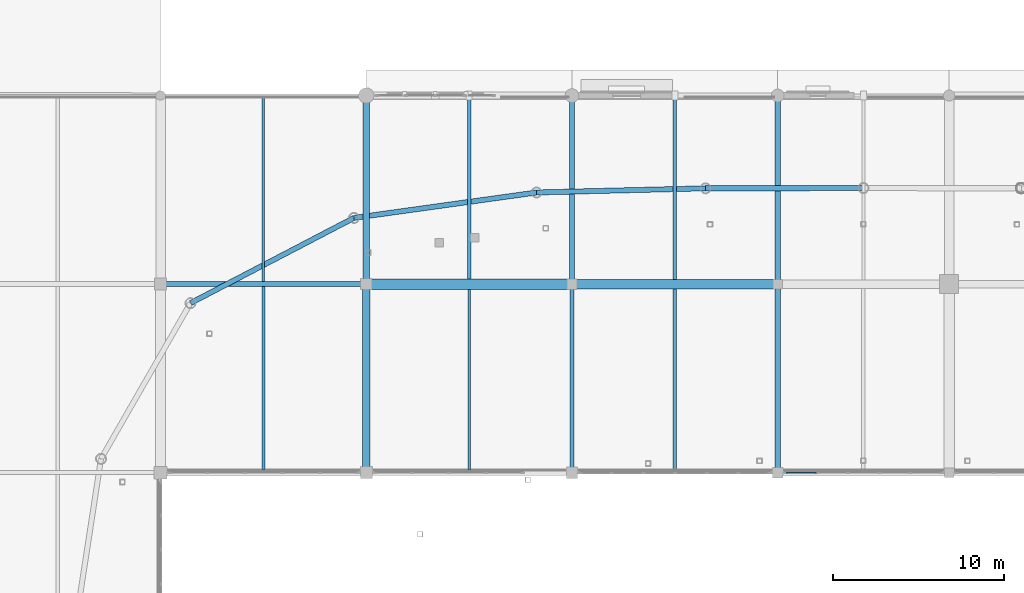
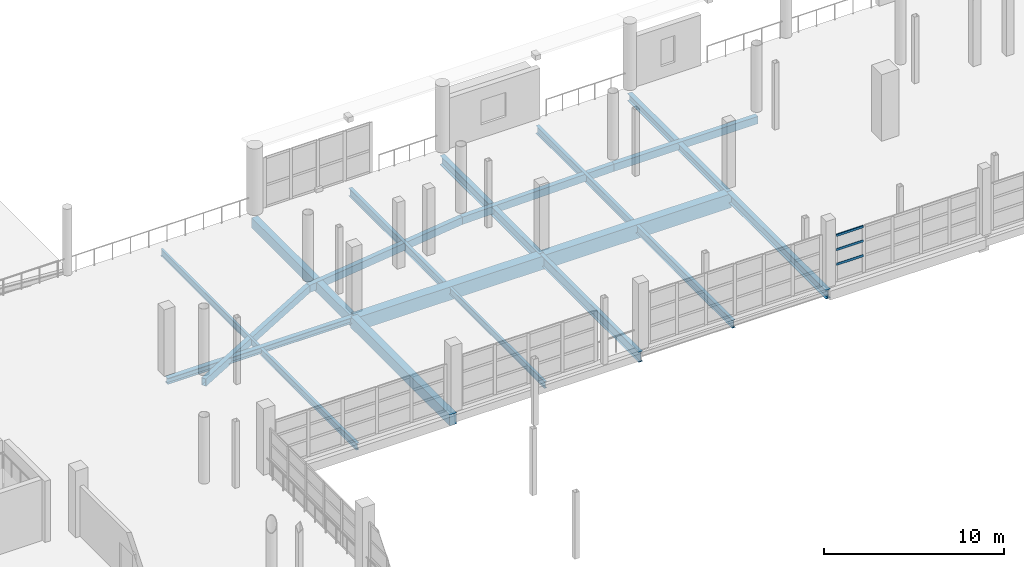
# One storey, part 44 of 118: 19 beams, 3 members, 1 element without a shape of its own.
"""IFC4 building model written with IfcOpenShell, lengths in metres."""

import ifcopenshell
import ifcopenshell.guid

model = None  # the IFC model being written
_history = None  # IfcOwnerHistory: only IFC2X3 demands one
_inside = {}  # id of a spatial element -> (the spatial element, [elements in it])
_under = {}  # id of a project, library or spatial element -> (it, [spatial elements below it])
_declared = {}  # id of a project -> (the project, [libraries it declares])
_typed = {}  # id of a type object -> (the type object, [elements of that type])
_made_of = {}  # id of a material, layer set ... -> (it, [elements and type objects made of it])


def new_model(schema):
    """Start an empty IFC model of exactly this schema.

    Asked for "IFC4X3", IfcOpenShell would pick the latest addendum, in which some entities
    have other attributes; the version numbers below select the first issue.
    IFC2X3 requires an IfcOwnerHistory on every rooted entity: one is made here for all.
    """
    global model, _history
    if schema == "IFC4X3":
        model = ifcopenshell.file(schema_version=(4, 3, 0, 0))
    else:
        model = ifcopenshell.file(schema=schema)
    _inside.clear()
    _under.clear()
    _declared.clear()
    _typed.clear()
    _made_of.clear()
    _history = None
    if model.schema == "IFC2X3":
        org = make("IfcOrganization", Name="unknown")
        user = make(
            "IfcPersonAndOrganization",
            ThePerson=make("IfcPerson", FamilyName="unknown"),
            TheOrganization=org,
        )
        app = make(
            "IfcApplication",
            ApplicationDeveloper=org,
            Version="unknown",
            ApplicationFullName="unknown",
            ApplicationIdentifier="unknown",
        )
        _history = make(
            "IfcOwnerHistory",
            OwningUser=user,
            OwningApplication=app,
            ChangeAction="ADDED",
            CreationDate=0,
        )
    return model


def make(cls, **values):
    """One entity of the class cls with the attributes given. An attribute that is None is left unset."""
    return model.create_entity(
        cls, **{name: value for name, value in values.items() if value is not None}
    )


def rooted(cls, **values):
    """An entity with a GlobalId (a new one), such as an element, a storey or a relation."""
    return make(cls, GlobalId=ifcopenshell.guid.new(), OwnerHistory=_history, **values)


def si_unit(unit_type, name, prefix=None):
    """IfcSIUnit, for example si_unit("LENGTHUNIT", "METRE", prefix="MILLI")."""
    return make("IfcSIUnit", UnitType=unit_type, Prefix=prefix, Name=name)


def assignment(units):
    """IfcUnitAssignment: the units of a project."""
    return None if units is None else make("IfcUnitAssignment", Units=units)


def point(xyz):
    """IfcCartesianPoint."""
    return None if xyz is None else make("IfcCartesianPoint", Coordinates=xyz)


def direction(xyz):
    """IfcDirection."""
    return None if xyz is None else make("IfcDirection", DirectionRatios=xyz)


def frame(location, z_axis=None, x_axis=None):
    """IfcAxis2Placement3D, a coordinate frame: its origin and axes. An axis left out is left unset."""
    return make(
        "IfcAxis2Placement3D",
        Location=point(location),
        Axis=direction(z_axis),
        RefDirection=direction(x_axis),
    )


def frame_2d(location, x_axis=None):
    """IfcAxis2Placement2D, a coordinate frame in the plane: its origin and x axis."""
    return make(
        "IfcAxis2Placement2D", Location=point(location), RefDirection=direction(x_axis)
    )


def origin():
    """The frame at (0, 0, 0) with its axes left unset."""
    return frame((0.0, 0.0, 0.0))


def origin_2d():
    """The frame at (0, 0) in the plane with its x axis left unset."""
    return frame_2d((0.0, 0.0))


def place(relative_to, where):
    """IfcLocalPlacement: puts the frame where relative to a parent placement (None: the world)."""
    return make(
        "IfcLocalPlacement", PlacementRelTo=relative_to, RelativePlacement=where
    )


def context(
    kind, dimensions, precision=None, world=None, true_north=None, identifier=None
):
    """IfcGeometricRepresentationContext, for example the 3D "Model" context."""
    return make(
        "IfcGeometricRepresentationContext",
        ContextIdentifier=identifier,
        ContextType=kind,
        CoordinateSpaceDimension=dimensions,
        Precision=precision,
        WorldCoordinateSystem=world,
        TrueNorth=true_north,
    )


def subcontext(parent, identifier, kind, view, scale=None):
    """IfcGeometricRepresentationSubContext, for example "Body" below "Model"."""
    return make(
        "IfcGeometricRepresentationSubContext",
        ContextIdentifier=identifier,
        ContextType=kind,
        ParentContext=parent,
        TargetScale=scale,
        TargetView=view,
    )


def project(units=None, contexts=None):
    """IfcProject with its units and contexts."""
    return rooted(
        "IfcProject",
        Name="project",
        RepresentationContexts=contexts,
        UnitsInContext=assignment(units),
    )


def spatial(cls, under=None, at=None, **own):
    """A site, building, storey or space (cls), placed at a placement, below another one or the project."""
    s = rooted(cls, ObjectPlacement=at, **own)
    if under is not None:
        _under.setdefault(under.id(), (under, []))[1].append(s)
    return s


def profile(cls, at=None, kind="AREA", **sizes):
    """A parametric profile (cls). Its sizes go by their IFC names, for example OverallWidth=200.0."""
    return make(cls, ProfileType=kind, Position=at, **sizes)


def rectangle(**sizes):
    """IfcRectangleProfileDef."""
    return profile("IfcRectangleProfileDef", **sizes)


def hollow_rectangle(**sizes):
    """IfcRectangleHollowProfileDef."""
    return profile("IfcRectangleHollowProfileDef", **sizes)


def i_section(**sizes):
    """IfcIShapeProfileDef."""
    return profile("IfcIShapeProfileDef", **sizes)


def extrude(swept, where, along, depth):
    """IfcExtrudedAreaSolid: the profile swept, set in the frame where, extruded along a direction by depth."""
    return make(
        "IfcExtrudedAreaSolid",
        SweptArea=swept,
        Position=where,
        ExtrudedDirection=direction(along),
        Depth=depth,
    )


def shape(context_of_items, identifier, shape_type, items):
    """IfcShapeRepresentation: the items that make up one representation, for example the "Body"."""
    return make(
        "IfcShapeRepresentation",
        ContextOfItems=context_of_items,
        RepresentationIdentifier=identifier,
        RepresentationType=shape_type,
        Items=items,
    )


def material(Name=None, Category=None):
    """IfcMaterial."""
    return make("IfcMaterial", Name=Name, Category=Category)


def material_profile(
    of_material, cross_section, Name=None, Category=None, Priority=None
):
    """IfcMaterialProfile: a cross section and its material."""
    return make(
        "IfcMaterialProfile",
        Name=Name,
        Material=of_material,
        Profile=cross_section,
        Priority=Priority,
        Category=Category,
    )


def profile_set(profiles, Name=None, composite=None):
    """IfcMaterialProfileSet."""
    return make(
        "IfcMaterialProfileSet",
        Name=Name,
        MaterialProfiles=profiles,
        CompositeProfile=composite,
    )


def made_of(thing, what):
    """Note that an element or type object is made of a material, layer set ...; save() writes the relation."""
    if what is not None:
        _made_of.setdefault(what.id(), (what, []))[1].append(thing)
    return thing


def type_object(cls, material=None, **own):
    """A type object (cls), such as IfcWallType, which elements share."""
    return made_of(rooted(cls, **own), material)


def element(
    cls,
    number,
    at=None,
    inside=None,
    cuts=None,
    type_object=None,
    material=None,
    context=None,
    identifier="Body",
    shape_type=None,
    held_by="IfcProductDefinitionShape",
    body=None,
    shapes=None,
    **own,
):
    """One element of the class cls, such as IfcWall. Its Tag is "e" and its number.

    at: its placement. inside: the storey or other place that contains it. cuts: it is an
    opening in that element (IfcRelVoidsElement). A single representation is given by context,
    identifier, shape_type and body (its items); several are given by shapes. held_by: the class
    of the entity that holds the representations. save() writes the other relations.
    """
    e = rooted(cls, Tag="e%d" % number, ObjectPlacement=at, **own)
    if body is not None:
        shapes = [shape(context, identifier, shape_type, body)]
    if shapes is not None:
        e.Representation = make(held_by, Representations=shapes)
    if inside is not None:
        _inside.setdefault(inside.id(), (inside, []))[1].append(e)
    if cuts is not None:
        rooted(
            "IfcRelVoidsElement", RelatingBuildingElement=cuts, RelatedOpeningElement=e
        )
    if type_object is not None:
        _typed.setdefault(type_object.id(), (type_object, []))[1].append(e)
    return made_of(e, material)


def aggregate(whole, parts):
    """IfcRelAggregates: a whole, such as a stair, and the parts it consists of."""
    return rooted("IfcRelAggregates", RelatingObject=whole, RelatedObjects=parts)


def save(model, path):
    """Write the relations noted so far, then the file.

    IfcRelAggregates (storeys below a building ...), IfcRelContainedInSpatialStructure (elements
    in a storey), IfcRelDefinesByType, IfcRelAssociatesMaterial and IfcRelDeclares: one each for
    every whole, place, type object, material and project.
    """
    for whole, parts in _under.values():
        aggregate(whole, parts)
    for where, things in _inside.values():
        rooted(
            "IfcRelContainedInSpatialStructure",
            RelatedElements=things,
            RelatingStructure=where,
        )
    for kind, things in _typed.values():
        rooted("IfcRelDefinesByType", RelatedObjects=things, RelatingType=kind)
    for what, things in _made_of.values():
        rooted("IfcRelAssociatesMaterial", RelatedObjects=things, RelatingMaterial=what)
    for by, libraries in _declared.values():
        rooted("IfcRelDeclares", RelatingContext=by, RelatedDefinitions=libraries)
    model.write(path)


model = new_model("IFC4")

# Units and contexts
model_context = context("Model", 3, precision=1e-05, world=origin(), true_north=direction((0.0, 1.0)))
body_context = subcontext(model_context, "Body", "Model", "MODEL_VIEW")
ifc_project = project(units=[si_unit("LENGTHUNIT", "METRE"), si_unit("AREAUNIT", "SQUARE_METRE"), si_unit("VOLUMEUNIT", "CUBIC_METRE"), si_unit("PLANEANGLEUNIT", "RADIAN"), si_unit("MASSUNIT", "GRAM", prefix="KILO")], contexts=[model_context])

# Site, building, storey
site_placement = place(None, origin())
site = spatial("IfcSite", under=ifc_project, at=site_placement, CompositionType="ELEMENT")
building_placement = place(site_placement, origin())
building = spatial("IfcBuilding", under=site, at=building_placement, Name="Luwafu Chhajja Arena", CompositionType="ELEMENT")
storey_placement = place(building_placement, frame((0.0, 0.0, 10.199951171875)))
storey = spatial("IfcBuildingStorey", under=building, at=storey_placement, Name="L02", CompositionType="ELEMENT", Elevation=10.199951171875)

# Curtain wall, members
ifc_material_1 = material(Name="Anodised bronze aluminium", Category="aluminium")
curtain_wall_type = type_object("IfcCurtainWallType", Name="Hospitality Ring Curtain Wall", PredefinedType="USERDEFINED", material=ifc_material_1)
curtain_wall_placement = place(storey_placement, origin())
curtain_wall = element("IfcCurtainWall", 1, at=curtain_wall_placement, inside=storey, type_object=curtain_wall_type, Name="L02 Bowl Viewing Curtain Wall CWR-L02-11", ObjectType="CURTAIN WALL", PredefinedType="USERDEFINED")
ifc_material_profile_1 = material_profile(ifc_material_1, rectangle(XDim=0.06494140625, YDim=0.14990234375, at=origin_2d()), Name="CWT 65x150")
ifc_profile_set_1 = profile_set([ifc_material_profile_1], Name="Anodised bronze aluminium")
member_type = type_object("IfcMemberType", Name="Bronze Curtain Wall Transom 65x150", PredefinedType="USERDEFINED", material=ifc_profile_set_1)
member_1_placement = place(storey_placement, frame((94.5048828125, 77.0, 1.150146484375), z_axis=(1.0, 0.0, 0.0), x_axis=(0.0, 1.0, 0.0)))
member_1 = element("IfcMember", 2, at=member_1_placement, type_object=member_type, Name="CW-02 transom 1.2", ObjectType="TRANSOM", PredefinedType="USERDEFINED", context=body_context, shape_type="SweptSolid", body=[
    extrude(rectangle(XDim=0.06494140625, YDim=0.14990234375, at=origin_2d()), origin(), (0.0, 0.0, 1.0), 1.731689453125),
])
member_2_placement = place(storey_placement, frame((94.5048828125, 77.0, 2.14501953125), z_axis=(1.0, 0.0, 0.0), x_axis=(0.0, 1.0, 0.0)))
member_2 = element("IfcMember", 3, at=member_2_placement, type_object=member_type, Name="CW-02 transom 1.3", ObjectType="TRANSOM", PredefinedType="USERDEFINED", context=body_context, shape_type="SweptSolid", body=[
    extrude(rectangle(XDim=0.06494140625, YDim=0.14990234375, at=origin_2d()), origin(), (0.0, 0.0, 1.0), 1.731689453125),
])
member_3_placement = place(storey_placement, frame((94.5048828125, 77.0, 3.107666015625), z_axis=(1.0, 0.0, 0.0), x_axis=(0.0, 1.0, 0.0)))
member_3 = element("IfcMember", 4, at=member_3_placement, type_object=member_type, Name="CW-02 transom 1.4", ObjectType="TRANSOM", PredefinedType="USERDEFINED", context=body_context, shape_type="SweptSolid", body=[
    extrude(rectangle(XDim=0.06494140625, YDim=0.14990234375, at=origin_2d()), origin(), (0.0, 0.0, 1.0), 1.731689453125),
])
aggregate(curtain_wall, [member_1, member_2, member_3])

# Beams
ifc_material_2 = material(Name="Concrete C35/45", Category="concrete")
ifc_material_profile_2 = material_profile(ifc_material_2, rectangle(XDim=0.60009765625, YDim=0.89990234375, at=origin_2d()), Name="RC 600x900")
ifc_profile_set_2 = profile_set([ifc_material_profile_2], Name="Concrete C35/45")
beam_type_1 = type_object("IfcBeamType", Name="Concourse Primary Girder RC 600x900", PredefinedType="BEAM", material=ifc_profile_set_2)
beam_1_placement = place(storey_placement, frame((70.0, 88.0, -0.83984375), z_axis=(1.0, 0.0, 0.0), x_axis=(0.0, 1.0, 0.0)))
element("IfcBeam", 5, at=beam_1_placement, inside=storey, type_object=beam_type_1, Name="L02 Grid Beam 7-8/J", PredefinedType="BEAM", context=body_context, shape_type="SweptSolid", body=[
    extrude(rectangle(XDim=0.60009765625, YDim=0.89990234375, at=origin_2d()), origin(), (0.0, 0.0, 1.0), 12.0),
])
ifc_material_profile_3 = material_profile(ifc_material_2, rectangle(XDim=0.550048828125, YDim=0.949951171875, at=origin_2d()), Name="RC 550x950")
ifc_profile_set_3 = profile_set([ifc_material_profile_3], Name="Concrete C35/45")
beam_type_2 = type_object("IfcBeamType", Name="Concourse Radial Girder RC 550x950", PredefinedType="BEAM", material=ifc_profile_set_3)
beam_2_placement = place(storey_placement, frame((82.0, 88.0, -0.864990234375), z_axis=(1.0, 0.0, 0.0), x_axis=(0.0, 1.0, 0.0)))
element("IfcBeam", 6, at=beam_2_placement, inside=storey, type_object=beam_type_2, Name="L02 Grid Beam 8-9/J", PredefinedType="BEAM", context=body_context, shape_type="SweptSolid", body=[
    extrude(rectangle(XDim=0.550048828125, YDim=0.949951171875, at=origin_2d()), origin(), (0.0, 0.0, 1.0), 12.0),
])
ifc_material_3 = material(Name="Steel S355", Category="steel")
ifc_material_profile_4 = material_profile(ifc_material_3, i_section(OverallWidth=0.15283203125, OverallDepth=0.45458984375, WebThickness=0.008056640625, FlangeThickness=0.01318359375, at=origin_2d()), Name="UB 457x152x60")
ifc_profile_set_4 = profile_set([ifc_material_profile_4], Name="Steel S355")
beam_type_3 = type_object("IfcBeamType", Name="Floor Joist UB 457x152x60", PredefinedType="JOIST", material=ifc_profile_set_4)
beam_3_placement = place(storey_placement, frame((64.0, 88.14990234375, -0.6171875), z_axis=(0.0, 1.0, 0.0), x_axis=(-1.0, 0.0, 0.0)))
element("IfcBeam", 7, at=beam_3_placement, inside=storey, type_object=beam_type_3, Name="L02 Secondary Joist 6-7/J", PredefinedType="JOIST", context=body_context, shape_type="SweptSolid", body=[
    extrude(i_section(OverallWidth=0.15283203125, OverallDepth=0.45458984375, WebThickness=0.008056640625, FlangeThickness=0.01318359375, at=origin_2d()), origin(), (0.0, 0.0, 1.0), 10.767333984375),
])
beam_4_placement = place(storey_placement, frame((76.0, 77.14990234375, -0.6171875), z_axis=(0.0, 1.0, 0.0), x_axis=(-1.0, 0.0, 0.0)))
element("IfcBeam", 8, at=beam_4_placement, inside=storey, type_object=beam_type_3, Name="L02 Secondary Joist 7-8/H", PredefinedType="JOIST", context=body_context, shape_type="SweptSolid", body=[
    extrude(i_section(OverallWidth=0.15283203125, OverallDepth=0.45458984375, WebThickness=0.008056640625, FlangeThickness=0.01318359375, at=origin_2d()), origin(), (0.0, 0.0, 1.0), 10.550048828125),
])
ifc_material_profile_5 = material_profile(ifc_material_3, i_section(OverallWidth=0.19140625, OverallDepth=0.4599609375, WebThickness=0.010009765625, FlangeThickness=0.01611328125, at=origin_2d()), Name="UB 457x191x82")
ifc_profile_set_5 = profile_set([ifc_material_profile_5], Name="Steel S355")
beam_type_4 = type_object("IfcBeamType", Name="Floor Joist UB 457x191x82", PredefinedType="JOIST", material=ifc_profile_set_5)
beam_5_placement = place(storey_placement, frame((64.0, 77.199951171875, -0.619873046875), z_axis=(0.0, 1.0, 0.0), x_axis=(-1.0, 0.0, 0.0)))
element("IfcBeam", 9, at=beam_5_placement, inside=storey, type_object=beam_type_4, Name="L02 Secondary Joist 6-7/H", PredefinedType="JOIST", context=body_context, shape_type="SweptSolid", body=[
    extrude(i_section(OverallWidth=0.19140625, OverallDepth=0.4599609375, WebThickness=0.010009765625, FlangeThickness=0.01611328125, at=origin_2d()), origin(), (0.0, 0.0, 1.0), 10.650146484375),
])
ifc_material_profile_6 = material_profile(ifc_material_3, i_section(OverallWidth=0.2099609375, OverallDepth=0.53662109375, WebThickness=0.0107421875, FlangeThickness=0.017333984375, at=origin_2d()), Name="UB 533x210x101")
ifc_profile_set_6 = profile_set([ifc_material_profile_6], Name="Steel S355")
beam_type_5 = type_object("IfcBeamType", Name="Floor Joist UB 533x210x101", PredefinedType="JOIST", material=ifc_profile_set_6)
beam_6_placement = place(storey_placement, frame((76.0, 88.300048828125, -0.658203125), z_axis=(0.0, 1.0, 0.0), x_axis=(-1.0, 0.0, 0.0)))
element("IfcBeam", 10, at=beam_6_placement, inside=storey, type_object=beam_type_5, Name="L02 Secondary Joist 7-8/J", PredefinedType="JOIST", context=body_context, shape_type="SweptSolid", body=[
    extrude(i_section(OverallWidth=0.2099609375, OverallDepth=0.53662109375, WebThickness=0.0107421875, FlangeThickness=0.017333984375, at=origin_2d()), origin(), (0.0, 0.0, 1.0), 10.5),
])
beam_7_placement = place(storey_placement, frame((88.0, 77.082763671875, -0.658203125), z_axis=(0.0, 1.0, 0.0), x_axis=(-1.0, 0.0, 0.0)))
element("IfcBeam", 11, at=beam_7_placement, inside=storey, type_object=beam_type_5, Name="L02 Secondary Joist 8-9/H", PredefinedType="JOIST", context=body_context, shape_type="SweptSolid", body=[
    extrude(i_section(OverallWidth=0.2099609375, OverallDepth=0.53662109375, WebThickness=0.0107421875, FlangeThickness=0.017333984375, at=origin_2d()), origin(), (0.0, 0.0, 1.0), 10.642333984375),
])
ifc_material_profile_7 = material_profile(ifc_material_3, i_section(OverallWidth=0.209228515625, OverallDepth=0.533203125, WebThickness=0.010009765625, FlangeThickness=0.015625, at=origin_2d()), Name="UB 533x210x92")
ifc_profile_set_7 = profile_set([ifc_material_profile_7], Name="Steel S355")
beam_type_6 = type_object("IfcBeamType", Name="Floor Joist UB 533x210x92", PredefinedType="JOIST", material=ifc_profile_set_7)
beam_8_placement = place(storey_placement, frame((88.0, 88.27490234375, -0.656494140625), z_axis=(0.0, 1.0, 0.0), x_axis=(-1.0, 0.0, 0.0)))
element("IfcBeam", 12, at=beam_8_placement, inside=storey, type_object=beam_type_6, Name="L02 Secondary Joist 8-9/J", PredefinedType="JOIST", context=body_context, shape_type="SweptSolid", body=[
    extrude(i_section(OverallWidth=0.209228515625, OverallDepth=0.533203125, WebThickness=0.010009765625, FlangeThickness=0.015625, at=origin_2d()), origin(), (0.0, 0.0, 1.0), 10.5751953125),
])
ifc_material_profile_8 = material_profile(ifc_material_3, hollow_rectangle(XDim=0.300048828125, YDim=0.5, WallThickness=0.02001953125, at=origin_2d()), Name="RHS 500x300x20")
ifc_profile_set_8 = profile_set([ifc_material_profile_8], Name="Steel S355")
beam_type_7 = type_object("IfcBeamType", Name="Pleated Drum Spandrel Beam RHS 500x300", PredefinedType="SPANDREL", material=ifc_profile_set_8)
beam_9_placement = place(storey_placement, frame((99.0, 93.60009765625, -0.639892578125), z_axis=(-0.999999155928, -0.001299285621, 0.0), x_axis=(0.001299285621, -0.999999155928, 0.0)))
element("IfcBeam", 13, at=beam_9_placement, inside=storey, type_object=beam_type_7, Name="L02 Drum Ring Spandrel D09-D10", PredefinedType="SPANDREL", context=body_context, shape_type="SweptSolid", body=[
    extrude(hollow_rectangle(XDim=0.300048828125, YDim=0.5, WallThickness=0.02001953125, at=origin_2d()), origin(), (0.0, 0.0, 1.0), 9.207275390625),
])
beam_10_placement = place(storey_placement, frame((89.792724609375, 93.588134765625, -0.639892578125), z_axis=(-0.999695420837, -0.024679253567, 0.0), x_axis=(0.024679253567, -0.999695420837, 0.0)))
element("IfcBeam", 14, at=beam_10_placement, inside=storey, type_object=beam_type_7, Name="L02 Drum Ring Spandrel D10-D11", PredefinedType="SPANDREL", context=body_context, shape_type="SweptSolid", body=[
    extrude(hollow_rectangle(XDim=0.300048828125, YDim=0.5, WallThickness=0.02001953125, at=origin_2d()), origin(), (0.0, 0.0, 1.0), 9.86279296875),
])
beam_11_placement = place(storey_placement, frame((79.932861328125, 93.3447265625, -0.639892578125), z_axis=(-0.990458730054, -0.137809666058, 0.0), x_axis=(0.137809666058, -0.990458730054, 0.0)))
element("IfcBeam", 15, at=beam_11_placement, inside=storey, type_object=beam_type_7, Name="L02 Drum Ring Spandrel D11-D12", PredefinedType="SPANDREL", context=body_context, shape_type="SweptSolid", body=[
    extrude(hollow_rectangle(XDim=0.300048828125, YDim=0.5, WallThickness=0.02001953125, at=origin_2d()), origin(), (0.0, 0.0, 1.0), 10.75341796875),
])
beam_12_placement = place(storey_placement, frame((69.281982421875, 91.86279296875, -0.639892578125), z_axis=(-0.886755170812, -0.462239404463, 0.0), x_axis=(0.462239404463, -0.886755170812, 0.0)))
element("IfcBeam", 16, at=beam_12_placement, inside=storey, type_object=beam_type_7, Name="L02 Drum Ring Spandrel D12-D13", PredefinedType="SPANDREL", context=body_context, shape_type="SweptSolid", body=[
    extrude(hollow_rectangle(XDim=0.300048828125, YDim=0.5, WallThickness=0.02001953125, at=origin_2d()), origin(), (0.0, 0.0, 1.0), 10.756103515625),
])
ifc_material_profile_9 = material_profile(ifc_material_3, i_section(OverallWidth=0.300048828125, OverallDepth=0.5, WebThickness=0.014404296875, FlangeThickness=0.028076171875, at=origin_2d()), Name="HEB 500")
ifc_profile_set_9 = profile_set([ifc_material_profile_9], Name="Steel S355")
beam_type_8 = type_object("IfcBeamType", Name="Steel Atrium Tie Girder HEB 500", PredefinedType="BEAM", material=ifc_profile_set_9)
beam_13_placement = place(storey_placement, frame((94.0, 88.0, -0.639892578125), z_axis=(0.0, 1.0, 0.0), x_axis=(-1.0, 0.0, 0.0)))
element("IfcBeam", 17, at=beam_13_placement, inside=storey, type_object=beam_type_8, Name="L02 Grid Beam 9/J-K", PredefinedType="BEAM", context=body_context, shape_type="SweptSolid", body=[
    extrude(i_section(OverallWidth=0.300048828125, OverallDepth=0.5, WebThickness=0.014404296875, FlangeThickness=0.028076171875, at=origin_2d()), origin(), (0.0, 0.0, 1.0), 11.0),
])
ifc_material_profile_10 = material_profile(ifc_material_3, i_section(OverallWidth=0.253662109375, OverallDepth=0.68359375, WebThickness=0.012451171875, FlangeThickness=0.01904296875, at=origin_2d()), Name="UB 686x254x140")
ifc_profile_set_10 = profile_set([ifc_material_profile_10], Name="Steel S355")
beam_type_9 = type_object("IfcBeamType", Name="Steel Concourse Girder UB 686x254x140", PredefinedType="BEAM", material=ifc_profile_set_10)
beam_14_placement = place(storey_placement, frame((82.0, 77.0, -0.731689453125), z_axis=(0.0, 1.0, 0.0), x_axis=(-1.0, 0.0, 0.0)))
element("IfcBeam", 18, at=beam_14_placement, inside=storey, type_object=beam_type_9, Name="L02 Grid Beam 8/H-J", PredefinedType="BEAM", context=body_context, shape_type="SweptSolid", body=[
    extrude(i_section(OverallWidth=0.253662109375, OverallDepth=0.68359375, WebThickness=0.012451171875, FlangeThickness=0.01904296875, at=origin_2d()), origin(), (0.0, 0.0, 1.0), 11.0),
])
ifc_material_profile_11 = material_profile(ifc_material_3, i_section(OverallWidth=0.300048828125, OverallDepth=0.60009765625, WebThickness=0.015380859375, FlangeThickness=0.030029296875, at=origin_2d()), Name="HEB 600")
ifc_profile_set_11 = profile_set([ifc_material_profile_11], Name="Steel S355")
beam_type_10 = type_object("IfcBeamType", Name="Steel Gallery Girder HEB 600", PredefinedType="BEAM", material=ifc_profile_set_11)
beam_15_placement = place(storey_placement, frame((94.0, 77.0, -0.68994140625), z_axis=(0.0, 1.0, 0.0), x_axis=(-1.0, 0.0, 0.0)))
element("IfcBeam", 19, at=beam_15_placement, inside=storey, type_object=beam_type_10, Name="L02 Grid Beam 9/H-J", PredefinedType="BEAM", context=body_context, shape_type="SweptSolid", body=[
    extrude(i_section(OverallWidth=0.300048828125, OverallDepth=0.60009765625, WebThickness=0.015380859375, FlangeThickness=0.030029296875, at=origin_2d()), origin(), (0.0, 0.0, 1.0), 11.0),
])
ifc_material_profile_12 = material_profile(ifc_material_3, i_section(OverallWidth=0.30712890625, OverallDepth=0.6201171875, WebThickness=0.01416015625, FlangeThickness=0.023681640625, at=origin_2d()), Name="UB 610x305x179")
ifc_profile_set_12 = profile_set([ifc_material_profile_12], Name="Steel S355")
beam_type_11 = type_object("IfcBeamType", Name="Steel Hospitality Girder UB 610x305x179", PredefinedType="BEAM", material=ifc_profile_set_12)
beam_16_placement = place(storey_placement, frame((82.0, 88.0, -0.699951171875), z_axis=(0.0, 1.0, 0.0), x_axis=(-1.0, 0.0, 0.0)))
element("IfcBeam", 20, at=beam_16_placement, inside=storey, type_object=beam_type_11, Name="L02 Grid Beam 8/J-K", PredefinedType="BEAM", context=body_context, shape_type="SweptSolid", body=[
    extrude(i_section(OverallWidth=0.30712890625, OverallDepth=0.6201171875, WebThickness=0.01416015625, FlangeThickness=0.023681640625, at=origin_2d()), origin(), (0.0, 0.0, 1.0), 11.0),
])
ifc_material_profile_13 = material_profile(ifc_material_3, i_section(OverallWidth=0.300048828125, OverallDepth=0.39990234375, WebThickness=0.013427734375, FlangeThickness=0.02392578125, at=origin_2d()), Name="HEB 400")
ifc_profile_set_13 = profile_set([ifc_material_profile_13], Name="Steel S355")
beam_type_12 = type_object("IfcBeamType", Name="Steel Rigging Grid Beam HEB 400", PredefinedType="BEAM", material=ifc_profile_set_13)
beam_17_placement = place(storey_placement, frame((58.0, 88.0, -0.58984375), z_axis=(1.0, 0.0, 0.0), x_axis=(0.0, 1.0, 0.0)))
element("IfcBeam", 21, at=beam_17_placement, inside=storey, type_object=beam_type_12, Name="L02 Grid Beam 6-7/J", PredefinedType="BEAM", context=body_context, shape_type="SweptSolid", body=[
    extrude(i_section(OverallWidth=0.300048828125, OverallDepth=0.39990234375, WebThickness=0.013427734375, FlangeThickness=0.02392578125, at=origin_2d()), origin(), (0.0, 0.0, 1.0), 12.0),
])
ifc_material_profile_14 = material_profile(ifc_material_2, rectangle(XDim=0.39990234375, YDim=0.699951171875, at=origin_2d()), Name="RC 400x700")
ifc_profile_set_14 = profile_set([ifc_material_profile_14], Name="Concrete C35/45")
beam_type_13 = type_object("IfcBeamType", Name="Wing Frame Beam RC 400x700", PredefinedType="BEAM", material=ifc_profile_set_14)
beam_18_placement = place(storey_placement, frame((70.0, 88.0, -0.739990234375), z_axis=(0.0, 1.0, 0.0), x_axis=(-1.0, 0.0, 0.0)))
element("IfcBeam", 22, at=beam_18_placement, inside=storey, type_object=beam_type_13, Name="L02 Grid Beam 7/J-K", PredefinedType="BEAM", context=body_context, shape_type="SweptSolid", body=[
    extrude(rectangle(XDim=0.39990234375, YDim=0.699951171875, at=origin_2d()), origin(), (0.0, 0.0, 1.0), 11.0),
])
ifc_material_profile_15 = material_profile(ifc_material_2, rectangle(XDim=0.449951171875, YDim=0.75, at=origin_2d()), Name="RC 450x750")
ifc_profile_set_15 = profile_set([ifc_material_profile_15], Name="Concrete C35/45")
beam_type_14 = type_object("IfcBeamType", Name="Wing Primary Beam RC 450x750", PredefinedType="BEAM", material=ifc_profile_set_15)
beam_19_placement = place(storey_placement, frame((70.0, 77.0, -0.764892578125), z_axis=(0.0, 1.0, 0.0), x_axis=(-1.0, 0.0, 0.0)))
element("IfcBeam", 23, at=beam_19_placement, inside=storey, type_object=beam_type_14, Name="L02 Grid Beam 7/H-J", PredefinedType="BEAM", context=body_context, shape_type="SweptSolid", body=[
    extrude(rectangle(XDim=0.449951171875, YDim=0.75, at=origin_2d()), origin(), (0.0, 0.0, 1.0), 11.0),
])

save(model, "model.ifc")
